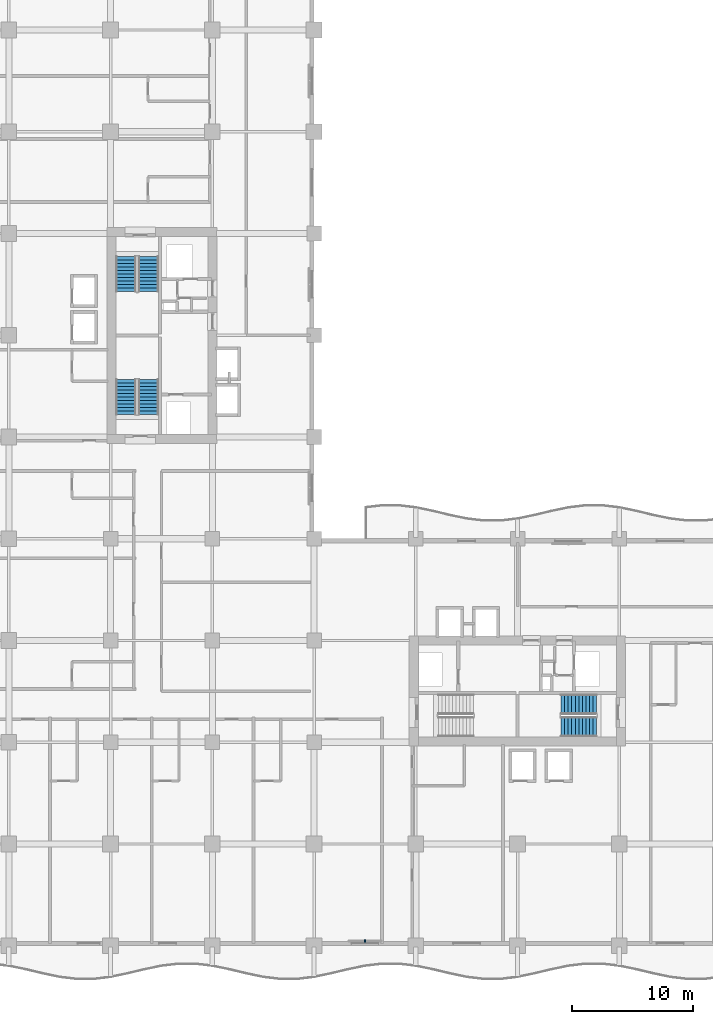
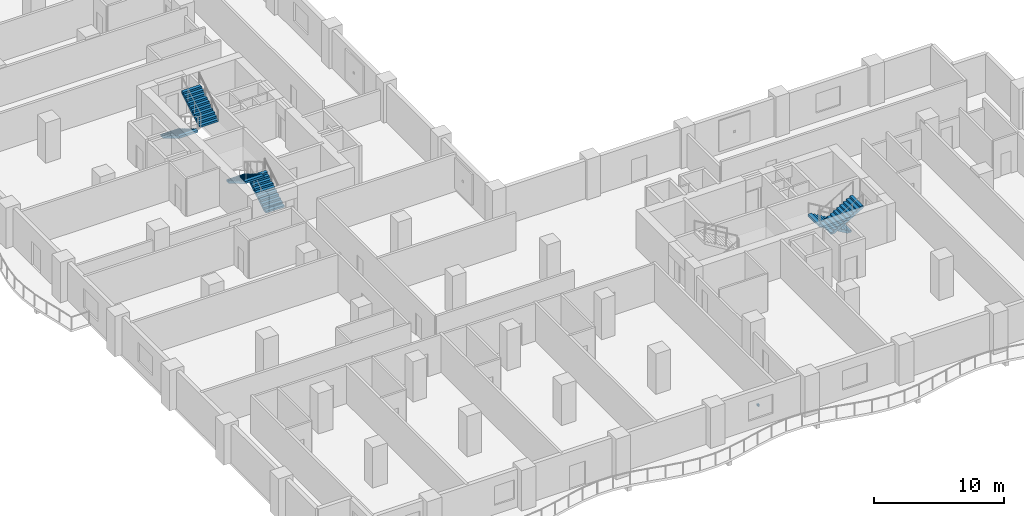
# One storey, part 12 of 18: 6 stair flights, 1 discrete accessory, 3 elements without a shape of their own.
"""IFC4 building model written with IfcOpenShell, lengths in metres."""

from ifc_helpers import new_model, si_unit, direction, frame, origin, origin_2d, place, context, subcontext, project, spatial, polyline, rectangle, outline, extrude, material, type_object, element, aggregate, save


model = new_model("IFC4")

# Units and contexts
model_context = context("Model", 3, precision=1e-05, world=origin(), true_north=direction((0.0, 1.0)))
body_context = subcontext(model_context, "Body", "Model", "MODEL_VIEW")
ifc_project = project(units=[si_unit("LENGTHUNIT", "METRE"), si_unit("AREAUNIT", "SQUARE_METRE"), si_unit("VOLUMEUNIT", "CUBIC_METRE"), si_unit("PLANEANGLEUNIT", "RADIAN"), si_unit("MASSUNIT", "GRAM", prefix="KILO")], contexts=[model_context])

# Site, building, storey
site_placement = place(None, origin())
site = spatial("IfcSite", under=ifc_project, at=site_placement, CompositionType="ELEMENT")
building_placement = place(site_placement, origin())
building = spatial("IfcBuilding", under=site, at=building_placement, Name="Koriwani Terraces Tower", CompositionType="ELEMENT")
storey_placement = place(building_placement, frame((0.0, 0.0, 100.0)))
storey = spatial("IfcBuildingStorey", under=building, at=storey_placement, Name="L23", CompositionType="ELEMENT", Elevation=100.0)

# Stair, stair flights
ifc_material_1 = material(Name="Concrete C40/50", Category="concrete")
stair_type = type_object("IfcStairType", Name="STAIR_CORE_DOGLEG_1650", PredefinedType="TWO_STRAIGHT_RUN_STAIR", material=ifc_material_1)
stair_1_placement = place(storey_placement, origin())
stair_1 = element("IfcStair", 1, at=stair_1_placement, inside=storey, type_object=stair_type, Name="L23 West Core Exit Stair 1", PredefinedType="HALF_TURN_STAIR")
stair_flight_type = type_object("IfcStairFlightType", Name="STAIR_FLIGHT_RC_1650", PredefinedType="STRAIGHT", material=ifc_material_1)
stair_flight_1_placement = place(storey_placement, frame((19.925048828125, 43.85009765625, 0.0), z_axis=(0.0, 0.0, 1.0), x_axis=(0.0, 1.0, 0.0)))
stair_flight_1 = element("IfcStairFlight", 2, at=stair_flight_1_placement, type_object=stair_flight_type, Name="ST-W1 flight 1", NumberOfRisers=11, NumberOfTreads=10, PredefinedType="STRAIGHT", RiserHeight=0.172727273, TreadLength=0.29, context=body_context, shape_type="SweptSolid", body=[
    extrude(outline(polyline([(0.0, 0.0), (0.0, 0.172607421875), (0.2900390625, 0.172607421875), (0.2900390625, 0.345458984375), (0.580078125, 0.345458984375), (0.580078125, 0.51806640625), (0.8701171875, 0.51806640625), (0.8701171875, 0.69091796875), (1.159912109375, 0.69091796875), (1.159912109375, 0.863525390625), (1.449951171875, 0.863525390625), (1.449951171875, 1.036376953125), (1.739990234375, 1.036376953125), (1.739990234375, 1.208984375), (2.030029296875, 1.208984375), (2.030029296875, 1.3818359375), (2.320068359375, 1.3818359375), (2.320068359375, 1.554443359375), (2.610107421875, 1.554443359375), (2.610107421875, 1.727294921875), (2.89990234375, 1.727294921875), (2.89990234375, 1.89990234375), (2.89990234375, 1.517822265625), (0.3515625, 0.0), (0.0, 0.0)])), frame((0.0, 0.824951171875, 0.0), z_axis=(0.0, -1.0, 0.0), x_axis=(1.0, 0.0, 0.0)), (0.0, 0.0, 1.0), 1.64990234375),
])
stair_flight_2_placement = place(storey_placement, frame((18.074951171875, 46.75, 1.89990234375), z_axis=(0.0, 0.0, 1.0), x_axis=(0.0, -1.0, 0.0)))
stair_flight_2 = element("IfcStairFlight", 3, at=stair_flight_2_placement, type_object=stair_flight_type, Name="ST-W1 flight 2", NumberOfRisers=11, NumberOfTreads=10, PredefinedType="STRAIGHT", RiserHeight=0.172727273, TreadLength=0.29, context=body_context, shape_type="SweptSolid", body=[
    extrude(outline(polyline([(0.0, 0.0), (0.0, 0.172607421875), (0.2900390625, 0.172607421875), (0.2900390625, 0.345458984375), (0.580078125, 0.345458984375), (0.580078125, 0.51806640625), (0.8701171875, 0.51806640625), (0.8701171875, 0.69091796875), (1.159912109375, 0.69091796875), (1.159912109375, 0.863525390625), (1.449951171875, 0.863525390625), (1.449951171875, 1.036376953125), (1.739990234375, 1.036376953125), (1.739990234375, 1.208984375), (2.030029296875, 1.208984375), (2.030029296875, 1.3818359375), (2.320068359375, 1.3818359375), (2.320068359375, 1.554443359375), (2.610107421875, 1.554443359375), (2.610107421875, 1.727294921875), (2.89990234375, 1.727294921875), (2.89990234375, 1.89990234375), (2.89990234375, 1.517822265625), (0.3515625, 0.0), (0.0, 0.0)])), frame((0.0, 0.824951171875, 0.0), z_axis=(0.0, -1.0, 0.0), x_axis=(1.0, 0.0, 0.0)), (0.0, 0.0, 1.0), 1.64990234375),
])
aggregate(stair_1, [stair_flight_1, stair_flight_2])

stair_2_placement = place(storey_placement, origin())
stair_2 = element("IfcStair", 4, at=stair_2_placement, inside=storey, type_object=stair_type, Name="L23 West Core Exit Stair 2", PredefinedType="HALF_TURN_STAIR")
stair_flight_3_placement = place(storey_placement, frame((18.074951171875, 56.89990234375, 0.0), z_axis=(0.0, 0.0, 1.0), x_axis=(0.0, -1.0, 0.0)))
stair_flight_3 = element("IfcStairFlight", 5, at=stair_flight_3_placement, type_object=stair_flight_type, Name="ST-W2 flight 1", NumberOfRisers=11, NumberOfTreads=10, PredefinedType="STRAIGHT", RiserHeight=0.172727273, TreadLength=0.29, context=body_context, shape_type="SweptSolid", body=[
    extrude(outline(polyline([(0.0, 0.0), (0.0, 0.172607421875), (0.2900390625, 0.172607421875), (0.2900390625, 0.345458984375), (0.580078125, 0.345458984375), (0.580078125, 0.51806640625), (0.8701171875, 0.51806640625), (0.8701171875, 0.69091796875), (1.159912109375, 0.69091796875), (1.159912109375, 0.863525390625), (1.449951171875, 0.863525390625), (1.449951171875, 1.036376953125), (1.739990234375, 1.036376953125), (1.739990234375, 1.208984375), (2.030029296875, 1.208984375), (2.030029296875, 1.3818359375), (2.320068359375, 1.3818359375), (2.320068359375, 1.554443359375), (2.610107421875, 1.554443359375), (2.610107421875, 1.727294921875), (2.89990234375, 1.727294921875), (2.89990234375, 1.89990234375), (2.89990234375, 1.517822265625), (0.3515625, 0.0), (0.0, 0.0)])), frame((0.0, 0.824951171875, 0.0), z_axis=(0.0, -1.0, 0.0), x_axis=(1.0, 0.0, 0.0)), (0.0, 0.0, 1.0), 1.64990234375),
])
stair_flight_4_placement = place(storey_placement, frame((19.925048828125, 54.0, 1.89990234375), z_axis=(0.0, 0.0, 1.0), x_axis=(0.0, 1.0, 0.0)))
stair_flight_4 = element("IfcStairFlight", 6, at=stair_flight_4_placement, type_object=stair_flight_type, Name="ST-W2 flight 2", NumberOfRisers=11, NumberOfTreads=10, PredefinedType="STRAIGHT", RiserHeight=0.172727273, TreadLength=0.29, context=body_context, shape_type="SweptSolid", body=[
    extrude(outline(polyline([(0.0, 0.0), (0.0, 0.172607421875), (0.2900390625, 0.172607421875), (0.2900390625, 0.345458984375), (0.580078125, 0.345458984375), (0.580078125, 0.51806640625), (0.8701171875, 0.51806640625), (0.8701171875, 0.69091796875), (1.159912109375, 0.69091796875), (1.159912109375, 0.863525390625), (1.449951171875, 0.863525390625), (1.449951171875, 1.036376953125), (1.739990234375, 1.036376953125), (1.739990234375, 1.208984375), (2.030029296875, 1.208984375), (2.030029296875, 1.3818359375), (2.320068359375, 1.3818359375), (2.320068359375, 1.554443359375), (2.610107421875, 1.554443359375), (2.610107421875, 1.727294921875), (2.89990234375, 1.727294921875), (2.89990234375, 1.89990234375), (2.89990234375, 1.517822265625), (0.3515625, 0.0), (0.0, 0.0)])), frame((0.0, 0.824951171875, 0.0), z_axis=(0.0, -1.0, 0.0), x_axis=(1.0, 0.0, 0.0)), (0.0, 0.0, 1.0), 1.64990234375),
])
aggregate(stair_2, [stair_flight_3, stair_flight_4])

stair_3_placement = place(storey_placement, origin())
stair_3 = element("IfcStair", 7, at=stair_3_placement, inside=storey, type_object=stair_type, Name="L23 East Core Exit Stair 2", PredefinedType="HALF_TURN_STAIR")
stair_flight_5_placement = place(storey_placement, frame((56.89990234375, 19.925048828125, 0.0), z_axis=(0.0, 0.0, 1.0), x_axis=(-1.0, 0.0, 0.0)))
stair_flight_5 = element("IfcStairFlight", 8, at=stair_flight_5_placement, type_object=stair_flight_type, Name="ST-E2 flight 1", NumberOfRisers=11, NumberOfTreads=10, PredefinedType="STRAIGHT", RiserHeight=0.172727273, TreadLength=0.29, context=body_context, shape_type="SweptSolid", body=[
    extrude(outline(polyline([(0.0, 0.0), (0.0, 0.172607421875), (0.2900390625, 0.172607421875), (0.2900390625, 0.345458984375), (0.580078125, 0.345458984375), (0.580078125, 0.51806640625), (0.8701171875, 0.51806640625), (0.8701171875, 0.69091796875), (1.159912109375, 0.69091796875), (1.159912109375, 0.863525390625), (1.449951171875, 0.863525390625), (1.449951171875, 1.036376953125), (1.739990234375, 1.036376953125), (1.739990234375, 1.208984375), (2.030029296875, 1.208984375), (2.030029296875, 1.3818359375), (2.320068359375, 1.3818359375), (2.320068359375, 1.554443359375), (2.610107421875, 1.554443359375), (2.610107421875, 1.727294921875), (2.89990234375, 1.727294921875), (2.89990234375, 1.89990234375), (2.89990234375, 1.517822265625), (0.3515625, 0.0), (0.0, 0.0)])), frame((0.0, 0.824951171875, 0.0), z_axis=(0.0, -1.0, 0.0), x_axis=(1.0, 0.0, 0.0)), (0.0, 0.0, 1.0), 1.64990234375),
])
stair_flight_6_placement = place(storey_placement, frame((54.0, 18.074951171875, 1.89990234375), z_axis=(0.0, 0.0, 1.0), x_axis=(1.0, 0.0, 0.0)))
stair_flight_6 = element("IfcStairFlight", 9, at=stair_flight_6_placement, type_object=stair_flight_type, Name="ST-E2 flight 2", NumberOfRisers=11, NumberOfTreads=10, PredefinedType="STRAIGHT", RiserHeight=0.172727273, TreadLength=0.29, context=body_context, shape_type="SweptSolid", body=[
    extrude(outline(polyline([(0.0, 0.0), (0.0, 0.172607421875), (0.2900390625, 0.172607421875), (0.2900390625, 0.345458984375), (0.580078125, 0.345458984375), (0.580078125, 0.51806640625), (0.8701171875, 0.51806640625), (0.8701171875, 0.69091796875), (1.159912109375, 0.69091796875), (1.159912109375, 0.863525390625), (1.449951171875, 0.863525390625), (1.449951171875, 1.036376953125), (1.739990234375, 1.036376953125), (1.739990234375, 1.208984375), (2.030029296875, 1.208984375), (2.030029296875, 1.3818359375), (2.320068359375, 1.3818359375), (2.320068359375, 1.554443359375), (2.610107421875, 1.554443359375), (2.610107421875, 1.727294921875), (2.89990234375, 1.727294921875), (2.89990234375, 1.89990234375), (2.89990234375, 1.517822265625), (0.3515625, 0.0), (0.0, 0.0)])), frame((0.0, 0.824951171875, 0.0), z_axis=(0.0, -1.0, 0.0), x_axis=(1.0, 0.0, 0.0)), (0.0, 0.0, 1.0), 1.64990234375),
])
aggregate(stair_3, [stair_flight_5, stair_flight_6])

# Discrete accessory
ifc_material_2 = material(Name="Steel ASTM A572 Grade 50", Category="steel")
discrete_accessory_type = type_object("IfcDiscreteAccessoryType", Name="BAGUETTE_STANDOFF_BRACKET", PredefinedType="BRACKET", material=ifc_material_2)
discrete_accessory_placement = place(storey_placement, frame((37.800048828125, 0.389892578125, 1.68505859375), z_axis=(0.0, 0.0, 1.0), x_axis=(-1.0, 0.0, 0.0)))
element("IfcDiscreteAccessory", 10, at=discrete_accessory_placement, inside=storey, type_object=discrete_accessory_type, Name="L23 Terracotta Baguette Bracket (S-12)", PredefinedType="BRACKET", context=body_context, shape_type="SweptSolid", body=[
    extrude(rectangle(XDim=0.159912109375, YDim=0.199951171875, at=origin_2d()), origin(), (0.0, 0.0, 1.0), 0.179931640625),
])

save(model, "model.ifc")
